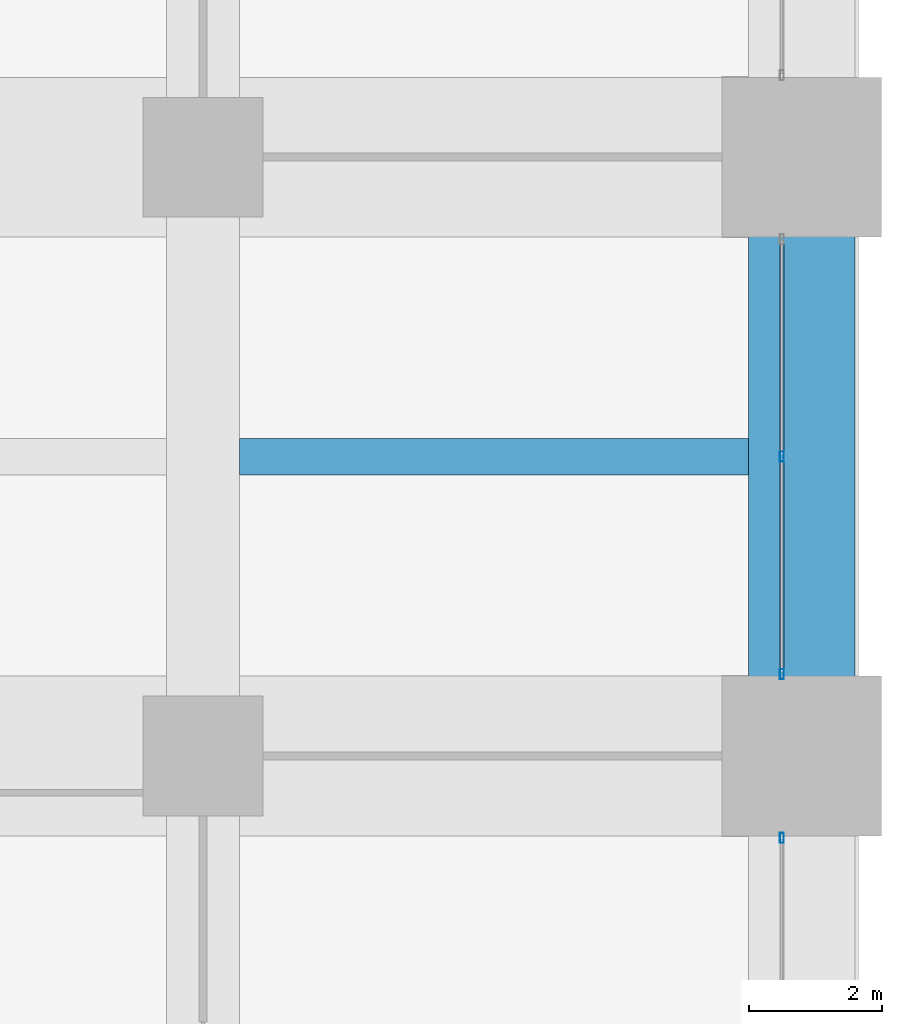
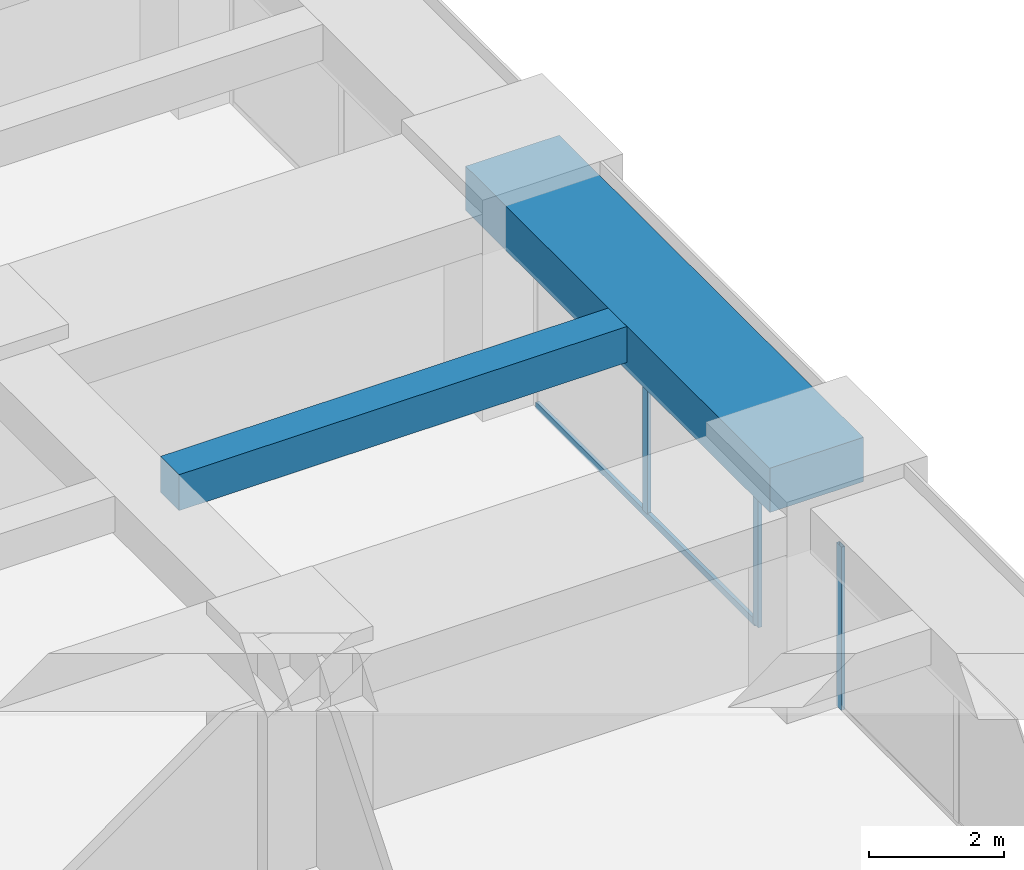
# One storey, part 21 of 43: 4 members, 2 beams, 2 elements without a shape of their own.
"""IFC4 building model written with IfcOpenShell, lengths in metres."""

from ifc_helpers import new_model, si_unit, direction, frame, origin, origin_2d, place, context, subcontext, project, spatial, rectangle, hollow_rectangle, extrude, material, material_profile, profile_set, type_object, element, aggregate, save


model = new_model("IFC4")

# Units and contexts
model_context = context("Model", 3, precision=1e-05, world=origin(), true_north=direction((0.0, 1.0)))
body_context = subcontext(model_context, "Body", "Model", "MODEL_VIEW")
ifc_project = project(units=[si_unit("LENGTHUNIT", "METRE"), si_unit("AREAUNIT", "SQUARE_METRE"), si_unit("VOLUMEUNIT", "CUBIC_METRE"), si_unit("PLANEANGLEUNIT", "RADIAN"), si_unit("MASSUNIT", "GRAM", prefix="KILO")], contexts=[model_context])

# Site, building, storey
site_placement = place(None, origin())
site = spatial("IfcSite", under=ifc_project, at=site_placement, CompositionType="ELEMENT")
building_placement = place(site_placement, origin())
building = spatial("IfcBuilding", under=site, at=building_placement, Name="Zorevar Civic Tower", CompositionType="ELEMENT")
storey_placement = place(building_placement, frame((0.0, 0.0, 145.0)))
storey = spatial("IfcBuildingStorey", under=building, at=storey_placement, Name="L35", CompositionType="ELEMENT", Elevation=145.0)

# Beam
ifc_material_1 = material(Name="Concrete C50/60", Category="concrete")
ifc_material_profile_1 = material_profile(ifc_material_1, rectangle(XDim=0.550048828125, YDim=0.64990234375, at=origin_2d()), Name="RC 550x650")
ifc_profile_set_1 = profile_set([ifc_material_profile_1], Name="Concrete C50/60")
beam_type_1 = type_object("IfcBeamType", Name="Beam RC 550x650", PredefinedType="BEAM", material=ifc_profile_set_1)
beam_1_placement = place(storey_placement, frame((54.550048828125, 22.5, 3.425048828125), z_axis=(1.0, 0.0, 0.0), x_axis=(0.0, 1.0, 0.0)))
element("IfcBeam", 1, at=beam_1_placement, inside=storey, type_object=beam_type_1, Name="Secondary beam L36", PredefinedType="BEAM", context=body_context, shape_type="SweptSolid", body=[
    extrude(rectangle(XDim=0.550048828125, YDim=0.64990234375, at=origin_2d()), origin(), (0.0, 0.0, 1.0), 7.64990234375),
])

# Curtain wall, member
ifc_material_2 = material(Name="Dark grey solar-control glass in black aluminium frame", Category="aluminium")
curtain_wall_type = type_object("IfcCurtainWallType", Name="Curtain wall CW3 mid zone", PredefinedType="NOTDEFINED", material=ifc_material_2)
curtain_wall_1_placement = place(storey_placement, origin())
curtain_wall_1 = element("IfcCurtainWall", 2, at=curtain_wall_1_placement, inside=storey, type_object=curtain_wall_type, Name="CW3 L35", PredefinedType="NOTDEFINED")
ifc_material_3 = material(Name="Aluminium, black anodised", Category="aluminium")
ifc_material_profile_2 = material_profile(ifc_material_3, hollow_rectangle(XDim=0.06005859375, YDim=0.14990234375, WallThickness=0.00390625, at=origin_2d()), Name="AL 150x60x4")
ifc_profile_set_2 = profile_set([ifc_material_profile_2], Name="Aluminium, black anodised")
member_type_1 = type_object("IfcMemberType", Name="CW3 mullion AL 150x60x4", PredefinedType="MULLION", material=ifc_profile_set_2)
member_1_placement = place(storey_placement, frame((62.699951171875, 16.77001953125, 0.0), z_axis=(0.0, 0.0, 1.0), x_axis=(-1.0, 0.0, 0.0)))
member_1 = element("IfcMember", 3, at=member_1_placement, type_object=member_type_1, Name="CW3 mullion 3", PredefinedType="MULLION", context=body_context, shape_type="SweptSolid", body=[
    extrude(hollow_rectangle(XDim=0.06005859375, YDim=0.14990234375, WallThickness=0.00390625, at=origin_2d()), origin(), (0.0, 0.0, 1.0), 2.949951171875),
])
aggregate(curtain_wall_1, [member_1])

# Curtain wall, members
curtain_wall_2_placement = place(storey_placement, origin())
curtain_wall_2 = element("IfcCurtainWall", 4, at=curtain_wall_2_placement, inside=storey, type_object=curtain_wall_type, Name="CW3 L35", PredefinedType="NOTDEFINED")
member_2_placement = place(storey_placement, frame((62.699951171875, 19.22998046875, 0.0), z_axis=(0.0, 0.0, 1.0), x_axis=(-1.0, 0.0, 0.0)))
member_2 = element("IfcMember", 5, at=member_2_placement, type_object=member_type_1, Name="CW3 mullion 1", PredefinedType="MULLION", context=body_context, shape_type="SweptSolid", body=[
    extrude(hollow_rectangle(XDim=0.06005859375, YDim=0.14990234375, WallThickness=0.00390625, at=origin_2d()), origin(), (0.0, 0.0, 1.0), 2.949951171875),
])
member_3_placement = place(storey_placement, frame((62.699951171875, 22.5, 0.06005859375), z_axis=(0.0, 0.0, 1.0), x_axis=(-1.0, 0.0, 0.0)))
member_3 = element("IfcMember", 6, at=member_3_placement, type_object=member_type_1, Name="CW3 mullion 2", PredefinedType="MULLION", context=body_context, shape_type="SweptSolid", body=[
    extrude(hollow_rectangle(XDim=0.06005859375, YDim=0.14990234375, WallThickness=0.00390625, at=origin_2d()), origin(), (0.0, 0.0, 1.0), 2.889892578125),
])
ifc_material_4 = material(Name="Aluminium, black anodised", Category="aluminium")
ifc_material_profile_3 = material_profile(ifc_material_4, hollow_rectangle(XDim=0.06005859375, YDim=0.1201171875, WallThickness=0.0029296875, at=origin_2d()), Name="AL 120x60x3")
ifc_profile_set_3 = profile_set([ifc_material_profile_3], Name="Aluminium, black anodised")
member_type_2 = type_object("IfcMemberType", Name="CW3 transom AL 120x60x3", PredefinedType="USERDEFINED", material=ifc_profile_set_3)
member_4_placement = place(storey_placement, frame((62.699951171875, 19.260009765625, 0.030029296875), z_axis=(0.0, 1.0, 0.0), x_axis=(-1.0, 0.0, 0.0)))
member_4 = element("IfcMember", 7, at=member_4_placement, type_object=member_type_2, Name="CW3 sill transom", ObjectType="TRANSOM", PredefinedType="USERDEFINED", context=body_context, shape_type="SweptSolid", body=[
    extrude(hollow_rectangle(XDim=0.06005859375, YDim=0.1201171875, WallThickness=0.0029296875, at=origin_2d()), origin(), (0.0, 0.0, 1.0), 6.47998046875),
])
aggregate(curtain_wall_2, [member_2, member_3, member_4])

# Beam
ifc_material_5 = material(Name="Concrete C50/60", Category="concrete")
ifc_material_profile_4 = material_profile(ifc_material_5, rectangle(XDim=1.60009765625, YDim=0.800048828125, at=origin_2d()), Name="RC 1600x800")
ifc_profile_set_4 = profile_set([ifc_material_profile_4], Name="Concrete C50/60")
beam_type_2 = type_object("IfcBeamType", Name="Edge beam RC 1600x800", PredefinedType="SPANDREL", material=ifc_profile_set_4)
beam_2_placement = place(storey_placement, frame((63.0, 18.0, 3.35009765625), z_axis=(0.0, 1.0, 0.0), x_axis=(-1.0, 0.0, 0.0)))
element("IfcBeam", 8, at=beam_2_placement, inside=storey, type_object=beam_type_2, Name="Edge beam L36", PredefinedType="SPANDREL", context=body_context, shape_type="SweptSolid", body=[
    extrude(rectangle(XDim=1.60009765625, YDim=0.800048828125, at=origin_2d()), origin(), (0.0, 0.0, 1.0), 9.0),
])

save(model, "model.ifc")
